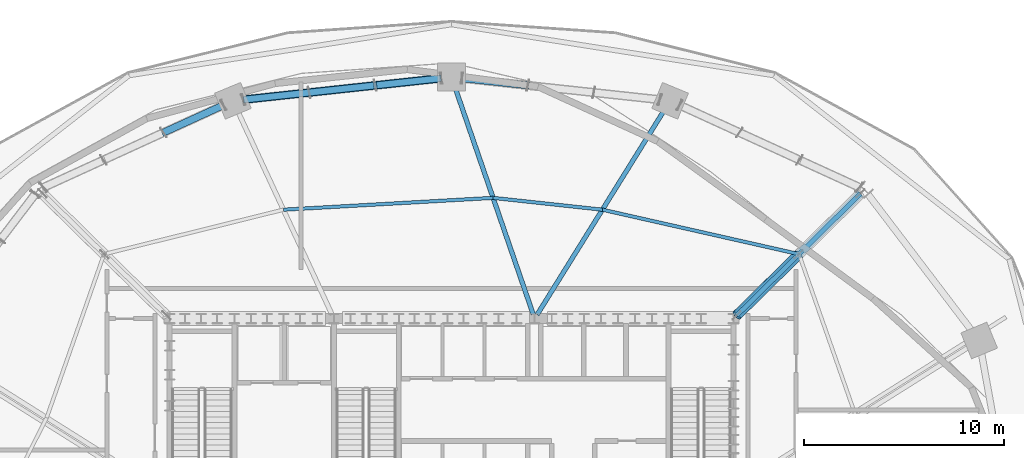
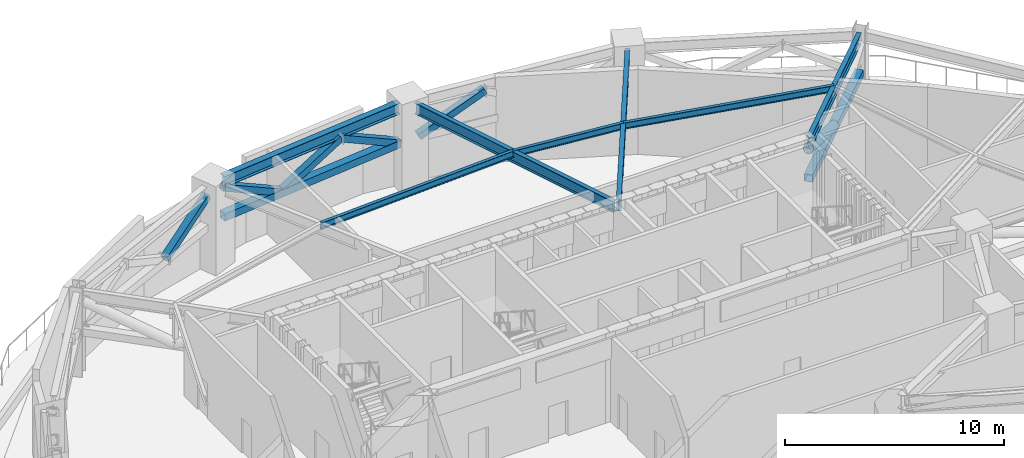
# One storey, part 7 of 18: 8 members, 7 beams.
"""IFC4 building model written with IfcOpenShell, lengths in metres."""

from ifc_helpers import new_model, si_unit, direction, frame, origin, origin_2d, place, context, subcontext, project, spatial, hollow_rectangle, hollow_circle, i_section, extrude, material, material_profile, profile_set, type_object, element, save


model = new_model("IFC4")

# Units and contexts
model_context = context("Model", 3, precision=1e-05, world=origin(), true_north=direction((0.0, 1.0)))
body_context = subcontext(model_context, "Body", "Model", "MODEL_VIEW")
ifc_project = project(units=[si_unit("LENGTHUNIT", "METRE"), si_unit("AREAUNIT", "SQUARE_METRE"), si_unit("VOLUMEUNIT", "CUBIC_METRE"), si_unit("PLANEANGLEUNIT", "RADIAN"), si_unit("MASSUNIT", "GRAM", prefix="KILO")], contexts=[model_context])

# Site, building, storey
site_placement = place(None, origin())
site = spatial("IfcSite", under=ifc_project, at=site_placement, CompositionType="ELEMENT")
building_placement = place(site_placement, origin())
building = spatial("IfcBuilding", under=site, at=building_placement, Name="Haldorwick Loom Tower", CompositionType="ELEMENT")
storey_placement = place(building_placement, frame((0.0, 0.0, 76.800048828125)))
storey = spatial("IfcBuildingStorey", under=building, at=storey_placement, Name="L20", CompositionType="ELEMENT", Elevation=76.800048828125)

# Beams
ifc_material = material(Name="Steel CSA G40.21 350W", Category="steel")
ifc_material_profile_1 = material_profile(ifc_material, i_section(OverallWidth=0.172119140625, OverallDepth=0.35791015625, WebThickness=0.0078125, FlangeThickness=0.01318359375, at=origin_2d()), Name="W360X57", Category="steel")
ifc_profile_set_1 = profile_set([ifc_material_profile_1], Name="Steel CSA G40.21 350W")
beam_type_1 = type_object("IfcBeamType", Name="STR-BM-J360", PredefinedType="JOIST", material=ifc_profile_set_1)
beam_1_placement = place(storey_placement, frame((53.33837890625, 38.765869140625, 4.5810546875), z_axis=(-0.975380231772, 0.22052982444, 0.0), x_axis=(-0.22052982444, -0.975380231772, 0.0)))
element("IfcBeam", 1, at=beam_1_placement, inside=storey, type_object=beam_type_1, Name="L20 Mid-Bay Secondary Joist 3", PredefinedType="JOIST", context=body_context, shape_type="SweptSolid", body=[
    extrude(i_section(OverallWidth=0.172119140625, OverallDepth=0.35791015625, WebThickness=0.0078125, FlangeThickness=0.01318359375, at=origin_2d()), origin(), (0.0, 0.0, 1.0), 10.0576171875),
])
beam_2_placement = place(storey_placement, frame((43.5283203125, 40.98388671875, 4.5810546875), z_axis=(-0.994191869342, 0.107622148904, 0.0), x_axis=(-0.107622148904, -0.994191869342, 0.0)))
element("IfcBeam", 2, at=beam_2_placement, inside=storey, type_object=beam_type_1, Name="L20 Mid-Bay Secondary Joist 4", PredefinedType="JOIST", context=body_context, shape_type="SweptSolid", body=[
    extrude(i_section(OverallWidth=0.172119140625, OverallDepth=0.35791015625, WebThickness=0.0078125, FlangeThickness=0.01318359375, at=origin_2d()), origin(), (0.0, 0.0, 1.0), 5.485107421875),
])
beam_3_placement = place(storey_placement, frame((38.074951171875, 41.57421875, 4.5810546875), z_axis=(-0.998412171013, -0.056330602457, 0.0), x_axis=(0.056330602457, -0.998412171013, 0.0)))
element("IfcBeam", 3, at=beam_3_placement, inside=storey, type_object=beam_type_1, Name="L20 Mid-Bay Secondary Joist 5", PredefinedType="JOIST", context=body_context, shape_type="SweptSolid", body=[
    extrude(i_section(OverallWidth=0.172119140625, OverallDepth=0.35791015625, WebThickness=0.0078125, FlangeThickness=0.01318359375, at=origin_2d()), origin(), (0.0, 0.0, 1.0), 10.479736328125),
])
ifc_material_profile_2 = material_profile(ifc_material, i_section(OverallWidth=0.324951171875, OverallDepth=0.615966796875, WebThickness=0.013916015625, FlangeThickness=0.021484375, at=origin_2d()), Name="W610X174", Category="steel")
ifc_profile_set_2 = profile_set([ifc_material_profile_2], Name="Steel CSA G40.21 350W")
beam_type_2 = type_object("IfcBeamType", Name="STR-BM-SP610", PredefinedType="SPANDREL", material=ifc_profile_set_2)
beam_4_placement = place(storey_placement, frame((35.48291015625, 47.54248046875, 4.451904296875), z_axis=(-0.994190135627, -0.107638163409, 0.0), x_axis=(0.107638163409, -0.994190135627, 0.0)))
element("IfcBeam", 4, at=beam_4_placement, inside=storey, type_object=beam_type_2, Name="L20 Perimeter Spandrel 5", PredefinedType="SPANDREL", context=body_context, shape_type="SweptSolid", body=[
    extrude(i_section(OverallWidth=0.324951171875, OverallDepth=0.615966796875, WebThickness=0.013916015625, FlangeThickness=0.021484375, at=origin_2d()), origin(), (0.0, 0.0, 1.0), 9.929931640625),
])
ifc_material_profile_3 = material_profile(ifc_material, i_section(OverallWidth=0.22998046875, OverallDepth=0.616943359375, WebThickness=0.01318359375, FlangeThickness=0.022216796875, at=origin_2d()), Name="W610X140", Category="steel")
ifc_profile_set_3 = profile_set([ifc_material_profile_3], Name="Steel CSA G40.21 350W")
beam_type_3 = type_object("IfcBeamType", Name="STR-BM-W610B", PredefinedType="BEAM", material=ifc_profile_set_3)
beam_5_placement = place(storey_placement, frame((50.23046875, 35.707763671875, 4.451416015625), z_axis=(0.712813667541, 0.701353459653, 0.0), x_axis=(-0.701353459653, 0.712813667541, 0.0)))
element("IfcBeam", 5, at=beam_5_placement, inside=storey, type_object=beam_type_3, Name="L20 Radial Floor Girder 3", PredefinedType="BEAM", context=body_context, shape_type="SweptSolid", body=[
    extrude(i_section(OverallWidth=0.22998046875, OverallDepth=0.616943359375, WebThickness=0.01318359375, FlangeThickness=0.022216796875, at=origin_2d()), origin(), (0.0, 0.0, 1.0), 8.67041015625),
])
beam_6_placement = place(storey_placement, frame((40.268798828125, 35.7412109375, 4.451416015625), z_axis=(0.527983484361, 0.849254638046, 0.0), x_axis=(-0.849254638046, 0.527983484361, 0.0)))
element("IfcBeam", 6, at=beam_6_placement, inside=storey, type_object=beam_type_3, Name="L20 Radial Floor Girder 4", PredefinedType="BEAM", context=body_context, shape_type="SweptSolid", body=[
    extrude(i_section(OverallWidth=0.22998046875, OverallDepth=0.616943359375, WebThickness=0.01318359375, FlangeThickness=0.022216796875, at=origin_2d()), origin(), (0.0, 0.0, 1.0), 12.051513671875),
])
beam_7_placement = place(storey_placement, frame((40.07666015625, 35.7626953125, 4.451416015625), z_axis=(-0.325673980289, 0.945482130218, 0.0), x_axis=(-0.945482130218, -0.325673980289, 0.0)))
element("IfcBeam", 7, at=beam_7_placement, inside=storey, type_object=beam_type_3, Name="L20 Radial Floor Girder 5", PredefinedType="BEAM", context=body_context, shape_type="SweptSolid", body=[
    extrude(i_section(OverallWidth=0.22998046875, OverallDepth=0.616943359375, WebThickness=0.01318359375, FlangeThickness=0.022216796875, at=origin_2d()), origin(), (0.0, 0.0, 1.0), 11.998046875),
])

# Members
ifc_material_profile_4 = material_profile(ifc_material, hollow_rectangle(XDim=0.355712890625, YDim=0.355712890625, WallThickness=0.015869140625, at=origin_2d()), Name="HSS356X356X16", Category="steel")
ifc_profile_set_4 = profile_set([ifc_material_profile_4], Name="Steel CSA G40.21 350W")
member_type_1 = type_object("IfcMemberType", Name="STR-MEM-BR356", PredefinedType="BRACE", material=ifc_profile_set_4)
for number, where, z_axis, x_axis, name in (
    (8, (39.807861328125, 47.186279296875, 4.14404296875), (-0.890408566654, 0.096380005842, -0.444840959111), (-0.107613862017, -0.99419276637, 0.0), "L20 Perimeter Belt Truss Web Diagonal 4-3"),
    (9, (35.48291015625, 47.54248046875, 2.5), (-0.890408566654, -0.096380005842, 0.444840959111), (0.107613862017, -0.99419276637, 0.0), "L20 Perimeter Belt Truss Web Diagonal 5-1"),
    (10, (32.192138671875, 47.186279296875, 4.14404296875), (-0.890402895746, -0.096445450537, -0.444838125971), (0.107686765614, -0.994184872401, 0.0), "L20 Perimeter Belt Truss Web Diagonal 5-2"),
    (11, (28.9013671875, 46.829833984375, 2.5), (-0.890408566654, -0.096380005842, 0.444840959111), (0.107613862017, -0.99419276637, 0.0), "L20 Perimeter Belt Truss Web Diagonal 5-3"),
):
    element("IfcMember", number, at=place(storey_placement, frame(where, z_axis=z_axis, x_axis=x_axis)), inside=storey, type_object=member_type_1, Name=name, PredefinedType="BRACE", context=body_context, shape_type="SweptSolid", body=[
        extrude(hollow_rectangle(XDim=0.355712890625, YDim=0.355712890625, WallThickness=0.015869140625, at=origin_2d()), origin(), (0.0, 0.0, 1.0), 3.69580078125),
    ])
member_1_placement = place(storey_placement, frame((24.62060546875, 46.201416015625, 4.14404296875), z_axis=(-0.813531343432, -0.372019513742, -0.446954398847), x_axis=(0.415870225011, -0.909423969306, 0.0)))
element("IfcMember", 12, at=member_1_placement, inside=storey, type_object=member_type_1, Name="L20 Perimeter Belt Truss Web Diagonal 6-1", PredefinedType="BRACE", context=body_context, shape_type="SweptSolid", body=[
    extrude(hollow_rectangle(XDim=0.355712890625, YDim=0.355712890625, WallThickness=0.015869140625, at=origin_2d()), origin(), (0.0, 0.0, 1.0), 3.67822265625),
])
ifc_material_profile_5 = material_profile(ifc_material, hollow_circle(Radius=0.25390625, WallThickness=0.015869140625, at=origin_2d()), Name="HSS508X16", Category="steel")
ifc_profile_set_5 = profile_set([ifc_material_profile_5], Name="Steel CSA G40.21 350W")
member_type_2 = type_object("IfcMemberType", Name="STR-MEM-BR508", PredefinedType="BRACE", material=ifc_profile_set_5)
member_2_placement = place(storey_placement, frame((50.23046875, 35.707763671875, 4.14306640625), z_axis=(0.666532194885, 0.655841981125, -0.354409549781), x_axis=(-0.701367536829, 0.712799816416, 0.0)))
element("IfcMember", 13, at=member_2_placement, inside=storey, type_object=member_type_2, Name="L20 Outrigger OT-NE Inner Diagonal", PredefinedType="BRACE", context=body_context, shape_type="SweptSolid", body=[
    extrude(hollow_circle(Radius=0.25390625, WallThickness=0.015869140625, at=origin_2d()), origin(), (0.0, 0.0, 1.0), 4.635986328125),
])
ifc_material_profile_6 = material_profile(ifc_material, hollow_rectangle(XDim=0.406494140625, YDim=0.406494140625, WallThickness=0.015869140625, at=origin_2d()), Name="HSS406X406X16", Category="steel")
ifc_profile_set_6 = profile_set([ifc_material_profile_6], Name="Steel CSA G40.21 350W")
member_type_3 = type_object("IfcMemberType", Name="STR-MEM-CH406", PredefinedType="CHORD", material=ifc_profile_set_6)
member_3_placement = place(storey_placement, frame((35.48291015625, 47.54248046875, 2.5), z_axis=(-0.994190135627, -0.107638163409, 0.0), x_axis=(0.107638163409, -0.994190135627, 0.0)))
element("IfcMember", 14, at=member_3_placement, inside=storey, type_object=member_type_3, Name="L20 Perimeter Belt Truss Bottom Chord 5", PredefinedType="CHORD", context=body_context, shape_type="SweptSolid", body=[
    extrude(hollow_rectangle(XDim=0.406494140625, YDim=0.406494140625, WallThickness=0.015869140625, at=origin_2d()), origin(), (0.0, 0.0, 1.0), 9.929931640625),
])
member_4_placement = place(storey_placement, frame((50.23046875, 35.707763671875, 2.5), z_axis=(0.712813667541, 0.701353459653, 0.0), x_axis=(-0.701353459653, 0.712813667541, 0.0)))
element("IfcMember", 15, at=member_4_placement, inside=storey, type_object=member_type_3, Name="L20 Outrigger OT-NE Bottom Chord", PredefinedType="CHORD", context=body_context, shape_type="SweptSolid", body=[
    extrude(hollow_rectangle(XDim=0.406494140625, YDim=0.406494140625, WallThickness=0.015869140625, at=origin_2d()), origin(), (0.0, 0.0, 1.0), 8.67041015625),
])

save(model, "model.ifc")
